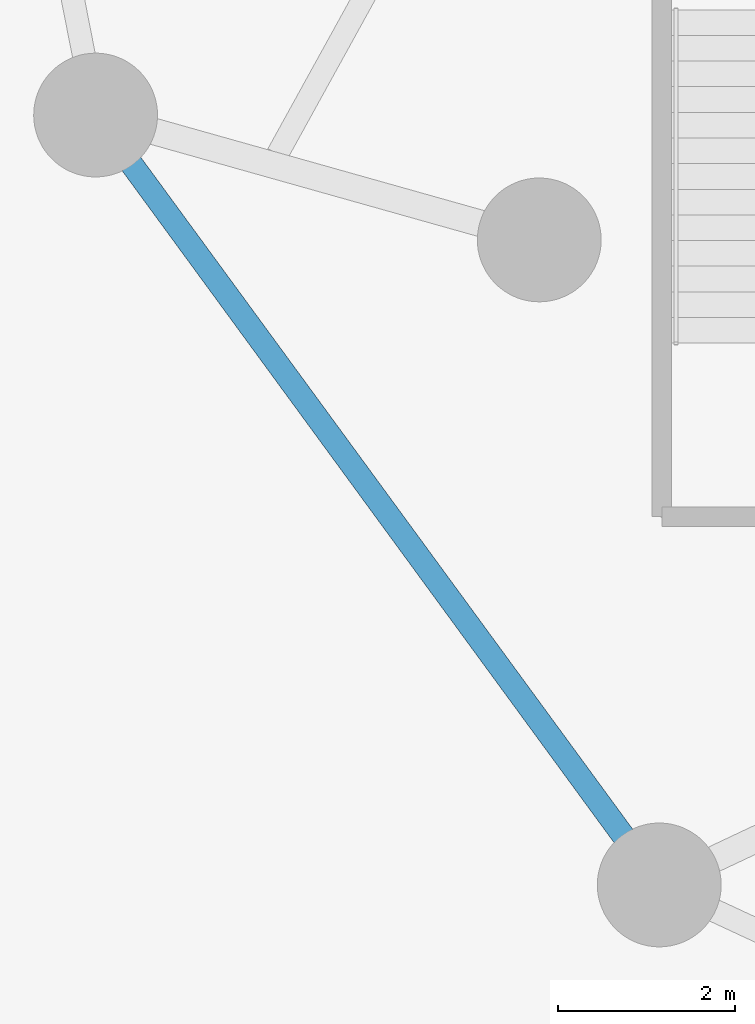
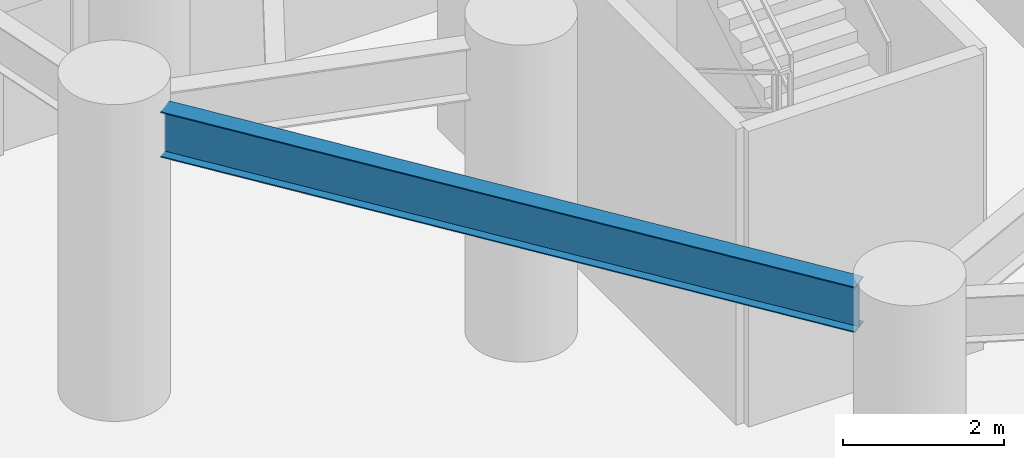
# One storey, part 4 of 30: 1 beam.
"""IFC4 building model written with IfcOpenShell, lengths in metres."""

import ifcopenshell
import ifcopenshell.guid

model = None  # the IFC model being written
_history = None  # IfcOwnerHistory: only IFC2X3 demands one
_inside = {}  # id of a spatial element -> (the spatial element, [elements in it])
_under = {}  # id of a project, library or spatial element -> (it, [spatial elements below it])
_declared = {}  # id of a project -> (the project, [libraries it declares])
_typed = {}  # id of a type object -> (the type object, [elements of that type])
_made_of = {}  # id of a material, layer set ... -> (it, [elements and type objects made of it])


def new_model(schema):
    """Start an empty IFC model of exactly this schema.

    Asked for "IFC4X3", IfcOpenShell would pick the latest addendum, in which some entities
    have other attributes; the version numbers below select the first issue.
    IFC2X3 requires an IfcOwnerHistory on every rooted entity: one is made here for all.
    """
    global model, _history
    if schema == "IFC4X3":
        model = ifcopenshell.file(schema_version=(4, 3, 0, 0))
    else:
        model = ifcopenshell.file(schema=schema)
    _inside.clear()
    _under.clear()
    _declared.clear()
    _typed.clear()
    _made_of.clear()
    _history = None
    if model.schema == "IFC2X3":
        org = make("IfcOrganization", Name="unknown")
        user = make(
            "IfcPersonAndOrganization",
            ThePerson=make("IfcPerson", FamilyName="unknown"),
            TheOrganization=org,
        )
        app = make(
            "IfcApplication",
            ApplicationDeveloper=org,
            Version="unknown",
            ApplicationFullName="unknown",
            ApplicationIdentifier="unknown",
        )
        _history = make(
            "IfcOwnerHistory",
            OwningUser=user,
            OwningApplication=app,
            ChangeAction="ADDED",
            CreationDate=0,
        )
    return model


def make(cls, **values):
    """One entity of the class cls with the attributes given. An attribute that is None is left unset."""
    return model.create_entity(
        cls, **{name: value for name, value in values.items() if value is not None}
    )


def rooted(cls, **values):
    """An entity with a GlobalId (a new one), such as an element, a storey or a relation."""
    return make(cls, GlobalId=ifcopenshell.guid.new(), OwnerHistory=_history, **values)


def si_unit(unit_type, name, prefix=None):
    """IfcSIUnit, for example si_unit("LENGTHUNIT", "METRE", prefix="MILLI")."""
    return make("IfcSIUnit", UnitType=unit_type, Prefix=prefix, Name=name)


def assignment(units):
    """IfcUnitAssignment: the units of a project."""
    return None if units is None else make("IfcUnitAssignment", Units=units)


def point(xyz):
    """IfcCartesianPoint."""
    return None if xyz is None else make("IfcCartesianPoint", Coordinates=xyz)


def direction(xyz):
    """IfcDirection."""
    return None if xyz is None else make("IfcDirection", DirectionRatios=xyz)


def frame(location, z_axis=None, x_axis=None):
    """IfcAxis2Placement3D, a coordinate frame: its origin and axes. An axis left out is left unset."""
    return make(
        "IfcAxis2Placement3D",
        Location=point(location),
        Axis=direction(z_axis),
        RefDirection=direction(x_axis),
    )


def frame_2d(location, x_axis=None):
    """IfcAxis2Placement2D, a coordinate frame in the plane: its origin and x axis."""
    return make(
        "IfcAxis2Placement2D", Location=point(location), RefDirection=direction(x_axis)
    )


def origin():
    """The frame at (0, 0, 0) with its axes left unset."""
    return frame((0.0, 0.0, 0.0))


def origin_2d():
    """The frame at (0, 0) in the plane with its x axis left unset."""
    return frame_2d((0.0, 0.0))


def place(relative_to, where):
    """IfcLocalPlacement: puts the frame where relative to a parent placement (None: the world)."""
    return make(
        "IfcLocalPlacement", PlacementRelTo=relative_to, RelativePlacement=where
    )


def context(
    kind, dimensions, precision=None, world=None, true_north=None, identifier=None
):
    """IfcGeometricRepresentationContext, for example the 3D "Model" context."""
    return make(
        "IfcGeometricRepresentationContext",
        ContextIdentifier=identifier,
        ContextType=kind,
        CoordinateSpaceDimension=dimensions,
        Precision=precision,
        WorldCoordinateSystem=world,
        TrueNorth=true_north,
    )


def subcontext(parent, identifier, kind, view, scale=None):
    """IfcGeometricRepresentationSubContext, for example "Body" below "Model"."""
    return make(
        "IfcGeometricRepresentationSubContext",
        ContextIdentifier=identifier,
        ContextType=kind,
        ParentContext=parent,
        TargetScale=scale,
        TargetView=view,
    )


def project(units=None, contexts=None):
    """IfcProject with its units and contexts."""
    return rooted(
        "IfcProject",
        Name="project",
        RepresentationContexts=contexts,
        UnitsInContext=assignment(units),
    )


def spatial(cls, under=None, at=None, **own):
    """A site, building, storey or space (cls), placed at a placement, below another one or the project."""
    s = rooted(cls, ObjectPlacement=at, **own)
    if under is not None:
        _under.setdefault(under.id(), (under, []))[1].append(s)
    return s


def profile(cls, at=None, kind="AREA", **sizes):
    """A parametric profile (cls). Its sizes go by their IFC names, for example OverallWidth=200.0."""
    return make(cls, ProfileType=kind, Position=at, **sizes)


def i_section(**sizes):
    """IfcIShapeProfileDef."""
    return profile("IfcIShapeProfileDef", **sizes)


def extrude(swept, where, along, depth):
    """IfcExtrudedAreaSolid: the profile swept, set in the frame where, extruded along a direction by depth."""
    return make(
        "IfcExtrudedAreaSolid",
        SweptArea=swept,
        Position=where,
        ExtrudedDirection=direction(along),
        Depth=depth,
    )


def shape(context_of_items, identifier, shape_type, items):
    """IfcShapeRepresentation: the items that make up one representation, for example the "Body"."""
    return make(
        "IfcShapeRepresentation",
        ContextOfItems=context_of_items,
        RepresentationIdentifier=identifier,
        RepresentationType=shape_type,
        Items=items,
    )


def material(Name=None, Category=None):
    """IfcMaterial."""
    return make("IfcMaterial", Name=Name, Category=Category)


def material_profile(
    of_material, cross_section, Name=None, Category=None, Priority=None
):
    """IfcMaterialProfile: a cross section and its material."""
    return make(
        "IfcMaterialProfile",
        Name=Name,
        Material=of_material,
        Profile=cross_section,
        Priority=Priority,
        Category=Category,
    )


def profile_set(profiles, Name=None, composite=None):
    """IfcMaterialProfileSet."""
    return make(
        "IfcMaterialProfileSet",
        Name=Name,
        MaterialProfiles=profiles,
        CompositeProfile=composite,
    )


def made_of(thing, what):
    """Note that an element or type object is made of a material, layer set ...; save() writes the relation."""
    if what is not None:
        _made_of.setdefault(what.id(), (what, []))[1].append(thing)
    return thing


def type_object(cls, material=None, **own):
    """A type object (cls), such as IfcWallType, which elements share."""
    return made_of(rooted(cls, **own), material)


def element(
    cls,
    number,
    at=None,
    inside=None,
    cuts=None,
    type_object=None,
    material=None,
    context=None,
    identifier="Body",
    shape_type=None,
    held_by="IfcProductDefinitionShape",
    body=None,
    shapes=None,
    **own,
):
    """One element of the class cls, such as IfcWall. Its Tag is "e" and its number.

    at: its placement. inside: the storey or other place that contains it. cuts: it is an
    opening in that element (IfcRelVoidsElement). A single representation is given by context,
    identifier, shape_type and body (its items); several are given by shapes. held_by: the class
    of the entity that holds the representations. save() writes the other relations.
    """
    e = rooted(cls, Tag="e%d" % number, ObjectPlacement=at, **own)
    if body is not None:
        shapes = [shape(context, identifier, shape_type, body)]
    if shapes is not None:
        e.Representation = make(held_by, Representations=shapes)
    if inside is not None:
        _inside.setdefault(inside.id(), (inside, []))[1].append(e)
    if cuts is not None:
        rooted(
            "IfcRelVoidsElement", RelatingBuildingElement=cuts, RelatedOpeningElement=e
        )
    if type_object is not None:
        _typed.setdefault(type_object.id(), (type_object, []))[1].append(e)
    return made_of(e, material)


def aggregate(whole, parts):
    """IfcRelAggregates: a whole, such as a stair, and the parts it consists of."""
    return rooted("IfcRelAggregates", RelatingObject=whole, RelatedObjects=parts)


def save(model, path):
    """Write the relations noted so far, then the file.

    IfcRelAggregates (storeys below a building ...), IfcRelContainedInSpatialStructure (elements
    in a storey), IfcRelDefinesByType, IfcRelAssociatesMaterial and IfcRelDeclares: one each for
    every whole, place, type object, material and project.
    """
    for whole, parts in _under.values():
        aggregate(whole, parts)
    for where, things in _inside.values():
        rooted(
            "IfcRelContainedInSpatialStructure",
            RelatedElements=things,
            RelatingStructure=where,
        )
    for kind, things in _typed.values():
        rooted("IfcRelDefinesByType", RelatedObjects=things, RelatingType=kind)
    for what, things in _made_of.values():
        rooted("IfcRelAssociatesMaterial", RelatedObjects=things, RelatingMaterial=what)
    for by, libraries in _declared.values():
        rooted("IfcRelDeclares", RelatingContext=by, RelatedDefinitions=libraries)
    model.write(path)


model = new_model("IFC4")

# Units and contexts
model_context = context("Model", 3, precision=1e-05, world=origin(), true_north=direction((0.0, 1.0)))
body_context = subcontext(model_context, "Body", "Model", "MODEL_VIEW")
ifc_project = project(units=[si_unit("LENGTHUNIT", "METRE"), si_unit("AREAUNIT", "SQUARE_METRE"), si_unit("VOLUMEUNIT", "CUBIC_METRE"), si_unit("PLANEANGLEUNIT", "RADIAN"), si_unit("MASSUNIT", "GRAM", prefix="KILO")], contexts=[model_context])

# Site, building, storey
site_placement = place(None, origin())
site = spatial("IfcSite", under=ifc_project, at=site_placement, CompositionType="ELEMENT")
building_placement = place(site_placement, origin())
building = spatial("IfcBuilding", under=site, at=building_placement, Name="Vorneva Point Tower", CompositionType="ELEMENT")
storey_placement = place(building_placement, frame((0.0, 0.0, 9.60009765625)))
storey = spatial("IfcBuildingStorey", under=building, at=storey_placement, Name="L02", CompositionType="ELEMENT", Elevation=9.60009765625)

# Beam
ifc_material = material(Name="Steel S355", Category="steel")
ifc_material_profile = material_profile(ifc_material, i_section(OverallWidth=0.260009765625, OverallDepth=0.69091796875, WebThickness=0.011962890625, FlangeThickness=0.015380859375, at=origin_2d()), Name="70B1")
ifc_profile_set = profile_set([ifc_material_profile], Name="Steel S355")
beam_type = type_object("IfcBeamType", Name="BM-SPN-70B1", PredefinedType="SPANDREL", material=ifc_profile_set)
beam_placement = place(storey_placement, frame((12.0927734375, 20.27685546875, 4.134521484375), z_axis=(0.590724084882, -0.806873630465, 0.0), x_axis=(0.806873630465, 0.590724084882, 0.0)))
element("IfcBeam", 1, at=beam_placement, inside=storey, type_object=beam_type, Name="L02 Perimeter Spandrel Ring Beam 10", PredefinedType="SPANDREL", context=body_context, shape_type="SweptSolid", body=[
    extrude(i_section(OverallWidth=0.260009765625, OverallDepth=0.69091796875, WebThickness=0.011962890625, FlangeThickness=0.015380859375, at=origin_2d()), origin(), (0.0, 0.0, 1.0), 9.4189453125),
])

save(model, "model.ifc")
